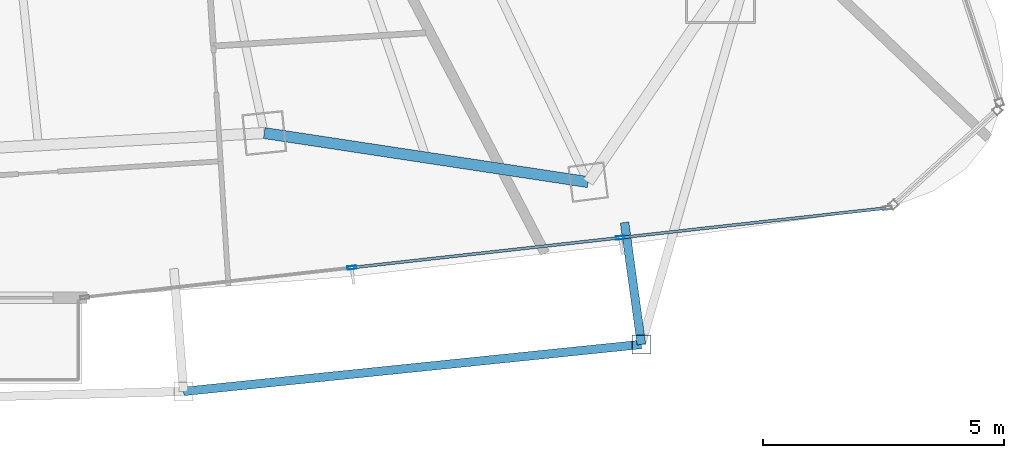
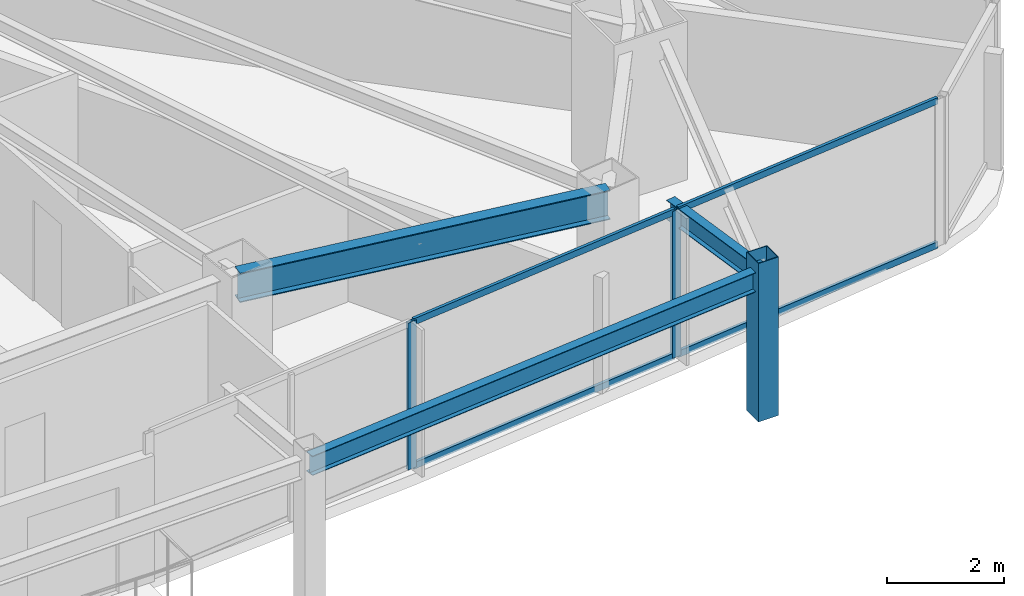
# One storey, part 12 of 29: 7 members, 3 beams, 1 element without a shape of its own.
"""IFC4 building model written with IfcOpenShell, lengths in metres."""

from ifc_helpers import new_model, si_unit, direction, frame, origin, origin_2d, place, context, subcontext, project, spatial, hollow_rectangle, i_section, extrude, material, layer, layer_set, material_profile, profile_set, type_object, element, aggregate, save


model = new_model("IFC4")

# Units and contexts
model_context = context("Model", 3, precision=1e-05, world=origin(), true_north=direction((0.0, 1.0)))
body_context = subcontext(model_context, "Body", "Model", "MODEL_VIEW")
ifc_project = project(units=[si_unit("LENGTHUNIT", "METRE"), si_unit("AREAUNIT", "SQUARE_METRE"), si_unit("VOLUMEUNIT", "CUBIC_METRE"), si_unit("PLANEANGLEUNIT", "RADIAN"), si_unit("MASSUNIT", "GRAM", prefix="KILO")], contexts=[model_context])

# Site, building, storey
site_placement = place(None, origin())
site = spatial("IfcSite", under=ifc_project, at=site_placement, CompositionType="ELEMENT")
building_placement = place(site_placement, origin())
building = spatial("IfcBuilding", under=site, at=building_placement, Name="Orvanel Arch Residences", CompositionType="ELEMENT")
storey_placement = place(building_placement, frame((0.0, 0.0, 173.75)))
storey = spatial("IfcBuildingStorey", under=building, at=storey_placement, Name="L49", CompositionType="ELEMENT", Elevation=173.75)

# Curtain wall, members
ifc_material_1 = material(Name="Bronze-anodised aluminium AA6063-T6", Category="aluminium")
ifc_layer = layer(ifc_material_1, 0.179931640625)
ifc_layer_set = layer_set([ifc_layer], Name="Bronze-anodised aluminium AA6063-T6")
curtain_wall_type = type_object("IfcCurtainWallType", Name="CW3-MID-SYS", PredefinedType="NOTDEFINED", material=ifc_layer_set)
curtain_wall_placement = place(storey_placement, origin())
curtain_wall = element("IfcCurtainWall", 1, at=curtain_wall_placement, inside=storey, type_object=curtain_wall_type, Name="L49 CW3-MID-SYS Unitised Curtain Wall", PredefinedType="NOTDEFINED")
ifc_material_profile_1 = material_profile(ifc_material_1, hollow_rectangle(XDim=0.070068359375, YDim=0.179931640625, WallThickness=0.00439453125, at=origin_2d()), Name="ALU180x70x4.5")
ifc_profile_set_1 = profile_set([ifc_material_profile_1], Name="Bronze-anodised aluminium AA6063-T6")
member_type_1 = type_object("IfcMemberType", Name="MUL-180x70", PredefinedType="MULLION", material=ifc_profile_set_1)
member_1_placement = place(storey_placement, frame((44.163330078125, 4.567626953125, 0.0), z_axis=(0.0, 0.0, 1.0), x_axis=(-0.110836581045, 0.993838645003, 0.0)))
member_1 = element("IfcMember", 2, at=member_1_placement, type_object=member_type_1, Name="CW-S3 mullion 2", PredefinedType="MULLION", context=body_context, shape_type="SweptSolid", body=[
    extrude(hollow_rectangle(XDim=0.070068359375, YDim=0.179931640625, WallThickness=0.00439453125, at=origin_2d()), origin(), (0.0, 0.0, 1.0), 3.06005859375),
])
member_2_placement = place(storey_placement, frame((49.728759765625, 5.188232421875, 0.0), z_axis=(0.0, 0.0, 1.0), x_axis=(-0.110836581045, 0.993838645003, 0.0)))
member_2 = element("IfcMember", 3, at=member_2_placement, type_object=member_type_1, Name="CW-S3 mullion 3", PredefinedType="MULLION", context=body_context, shape_type="SweptSolid", body=[
    extrude(hollow_rectangle(XDim=0.070068359375, YDim=0.179931640625, WallThickness=0.00439453125, at=origin_2d()), origin(), (0.0, 0.0, 1.0), 3.06005859375),
])

# Beams
ifc_material_2 = material(Name="Structural steel AS/NZS 3679.1 Grade 300 (300 MPa)", Category="steel")
ifc_material_profile_2 = material_profile(ifc_material_2, i_section(OverallWidth=0.177978515625, OverallDepth=0.406005859375, WebThickness=0.0078125, FlangeThickness=0.0126953125, at=origin_2d()), Name="410UB59.7")
ifc_profile_set_2 = profile_set([ifc_material_profile_2], Name="Structural steel AS/NZS 3679.1 Grade 300 (300 MPa)")
beam_type_1 = type_object("IfcBeamType", Name="OB-410UB-EXT", PredefinedType="SPANDREL", material=ifc_profile_set_2)
beam_1_placement = place(storey_placement, frame((40.677978515625, 2.0029296875, 2.85693359375), z_axis=(0.994767702697, 0.102162701958, 0.0), x_axis=(-0.102162701958, 0.994767702697, 0.0)))
element("IfcBeam", 4, at=beam_1_placement, inside=storey, type_object=beam_type_1, Name="L49 Outer Perimeter Floor Ring Beam 07", PredefinedType="SPANDREL", context=body_context, shape_type="SweptSolid", body=[
    extrude(i_section(OverallWidth=0.177978515625, OverallDepth=0.406005859375, WebThickness=0.0078125, FlangeThickness=0.0126953125, at=origin_2d()), origin(), (0.0, 0.0, 1.0), 9.534912109375),
])
beam_2_placement = place(storey_placement, frame((49.81396484375, 5.5029296875, 2.85693359375), z_axis=(0.136916025581, -0.990582657803, 0.0), x_axis=(0.990582657803, 0.136916025581, 0.0)))
element("IfcBeam", 5, at=beam_2_placement, inside=storey, type_object=beam_type_1, Name="L49 Outer Frame Radial Tie Beam 08", PredefinedType="SPANDREL", context=body_context, shape_type="SweptSolid", body=[
    extrude(i_section(OverallWidth=0.177978515625, OverallDepth=0.406005859375, WebThickness=0.0078125, FlangeThickness=0.0126953125, at=origin_2d()), origin(), (0.0, 0.0, 1.0), 2.5498046875),
])
ifc_material_profile_3 = material_profile(ifc_material_2, i_section(OverallWidth=0.22900390625, OverallDepth=0.612060546875, WebThickness=0.011962890625, FlangeThickness=0.01953125, at=origin_2d()), Name="610UB125")
ifc_profile_set_3 = profile_set([ifc_material_profile_3], Name="Structural steel AS/NZS 3679.1 Grade 300 (300 MPa)")
beam_type_2 = type_object("IfcBeamType", Name="SP-610UB", PredefinedType="SPANDREL", material=ifc_profile_set_3)
beam_3_placement = place(storey_placement, frame((42.35107421875, 7.35498046875, 2.75390625), z_axis=(0.988726323014, -0.149733958002, 0.0), x_axis=(0.149733958002, 0.988726323014, 0.0)))
element("IfcBeam", 6, at=beam_3_placement, inside=storey, type_object=beam_type_2, Name="L49 Perimeter Spandrel Beam 07", PredefinedType="SPANDREL", context=body_context, shape_type="SweptSolid", body=[
    extrude(i_section(OverallWidth=0.22900390625, OverallDepth=0.612060546875, WebThickness=0.011962890625, FlangeThickness=0.01953125, at=origin_2d()), origin(), (0.0, 0.0, 1.0), 6.784423828125),
])

# Member
ifc_material_3 = material(Name="Structural steel AS/NZS 1163 C450L0 (Grade 450)", Category="steel")
ifc_material_profile_4 = material_profile(ifc_material_3, hollow_rectangle(XDim=0.39990234375, YDim=0.39990234375, WallThickness=0.01611328125, at=origin_2d()), Name="SHS400x400x16")
ifc_profile_set_4 = profile_set([ifc_material_profile_4], Name="Structural steel AS/NZS 1163 C450L0 (Grade 450)")
member_type_2 = type_object("IfcMemberType", Name="ST-400SHS-EXT", PredefinedType="STRUT", material=ifc_profile_set_4)
member_3_placement = place(storey_placement, frame((50.1630859375, 2.97705078125, 0.0), z_axis=(0.0, 0.0, 1.0), x_axis=(1.0, 0.0, 0.0)))
element("IfcMember", 7, at=member_3_placement, inside=storey, type_object=member_type_2, Name="L49 Outer Perimeter Frame Post 08", PredefinedType="STRUT", context=body_context, shape_type="SweptSolid", body=[
    extrude(hollow_rectangle(XDim=0.39990234375, YDim=0.39990234375, WallThickness=0.01611328125, at=origin_2d()), origin(), (0.0, 0.0, 1.0), 3.300048828125),
])

ifc_material_profile_5 = material_profile(ifc_material_1, hollow_rectangle(XDim=0.06005859375, YDim=0.135009765625, WallThickness=0.00390625, at=origin_2d()), Name="ALU135x60x4")
ifc_profile_set_5 = profile_set([ifc_material_profile_5], Name="Bronze-anodised aluminium AA6063-T6")
member_type_3 = type_object("IfcMemberType", Name="TRN-135x60", PredefinedType="USERDEFINED", material=ifc_profile_set_5)
member_4_placement = place(storey_placement, frame((44.197998046875, 4.571533203125, 0.030029296875), z_axis=(0.993836263874, 0.110857929838, 0.0), x_axis=(-0.110857929838, 0.993836263874, 0.0)))
member_4 = element("IfcMember", 8, at=member_4_placement, type_object=member_type_3, Name="CW-S3 transom 2.1", ObjectType="TRANSOM", PredefinedType="USERDEFINED", context=body_context, shape_type="SweptSolid", body=[
    extrude(hollow_rectangle(XDim=0.06005859375, YDim=0.135009765625, WallThickness=0.00390625, at=origin_2d()), origin(), (0.0, 0.0, 1.0), 5.530029296875),
])

member_5_placement = place(storey_placement, frame((44.197998046875, 4.571533203125, 3.030029296875), z_axis=(0.993836263874, 0.110857929838, 0.0), x_axis=(-0.110857929838, 0.993836263874, 0.0)))
member_5 = element("IfcMember", 9, at=member_5_placement, type_object=member_type_3, Name="CW-S3 transom 2.2", ObjectType="TRANSOM", PredefinedType="USERDEFINED", context=body_context, shape_type="SweptSolid", body=[
    extrude(hollow_rectangle(XDim=0.06005859375, YDim=0.135009765625, WallThickness=0.00390625, at=origin_2d()), origin(), (0.0, 0.0, 1.0), 5.530029296875),
])

member_6_placement = place(storey_placement, frame((49.763427734375, 5.192138671875, 0.030029296875), z_axis=(0.993836503728, 0.110855779542, 0.0), x_axis=(-0.110855779542, 0.993836503728, 0.0)))
member_6 = element("IfcMember", 10, at=member_6_placement, type_object=member_type_3, Name="CW-S3 transom 3.1", ObjectType="TRANSOM", PredefinedType="USERDEFINED", context=body_context, shape_type="SweptSolid", body=[
    extrude(hollow_rectangle(XDim=0.06005859375, YDim=0.135009765625, WallThickness=0.00390625, at=origin_2d()), origin(), (0.0, 0.0, 1.0), 5.494873046875),
])

member_7_placement = place(storey_placement, frame((49.763427734375, 5.192138671875, 3.030029296875), z_axis=(0.993836503728, 0.110855779542, 0.0), x_axis=(-0.110855779542, 0.993836503728, 0.0)))
member_7 = element("IfcMember", 11, at=member_7_placement, type_object=member_type_3, Name="CW-S3 transom 3.2", ObjectType="TRANSOM", PredefinedType="USERDEFINED", context=body_context, shape_type="SweptSolid", body=[
    extrude(hollow_rectangle(XDim=0.06005859375, YDim=0.135009765625, WallThickness=0.00390625, at=origin_2d()), origin(), (0.0, 0.0, 1.0), 5.494873046875),
])

aggregate(curtain_wall, [member_1, member_2, member_4, member_5, member_6, member_7])

save(model, "model.ifc")
